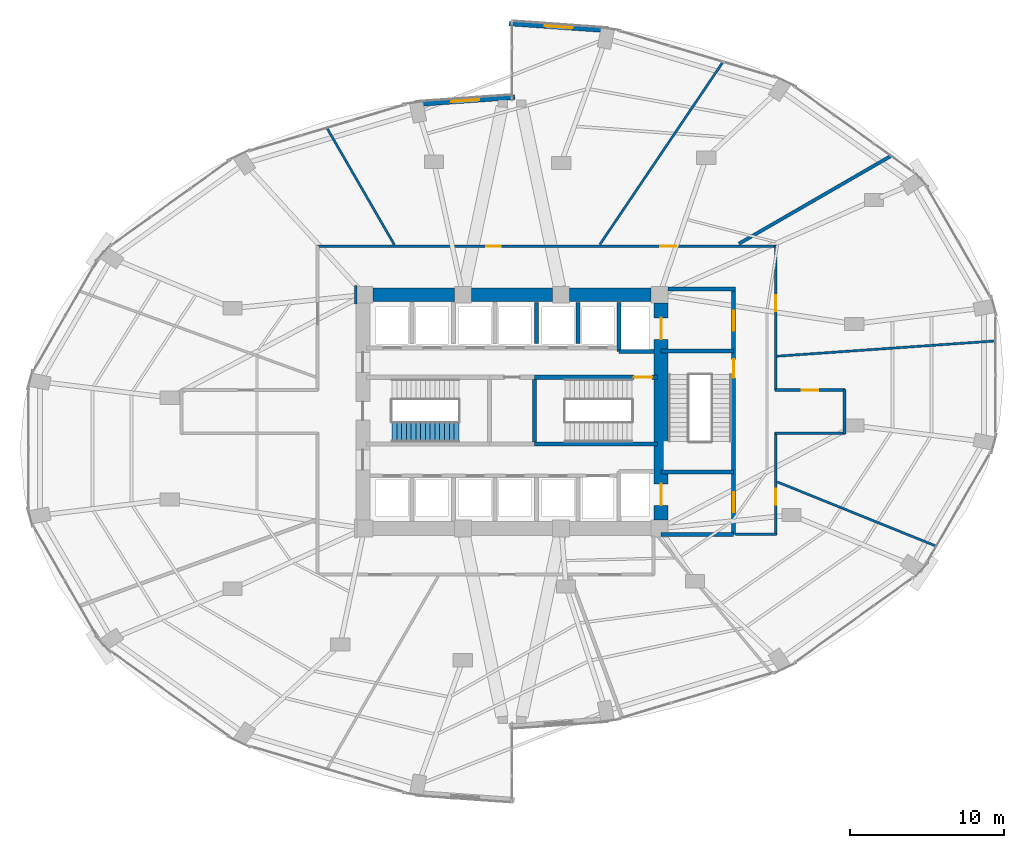
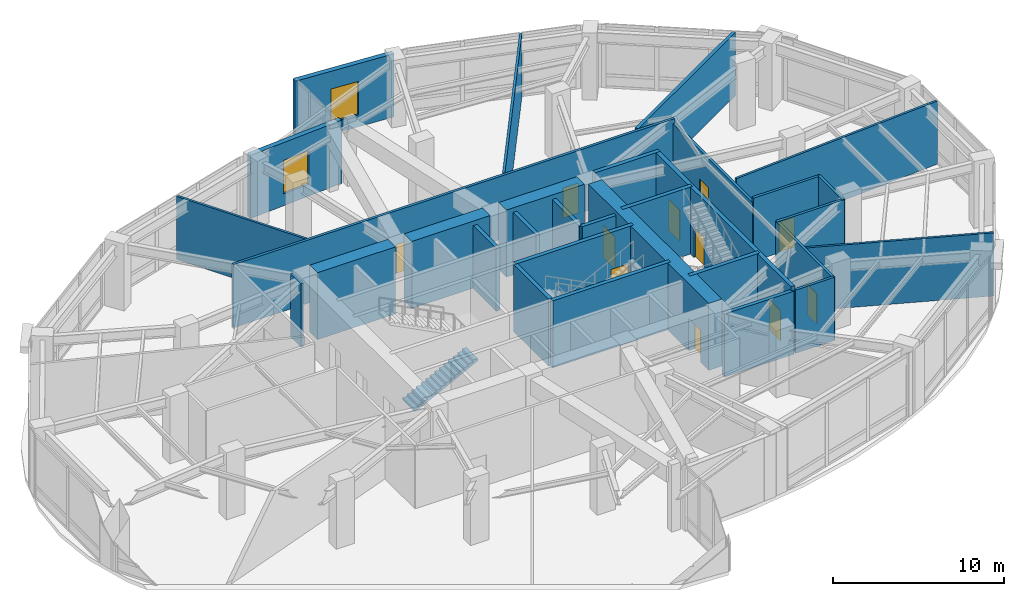
# One storey, part 22 of 24: 31 walls, 11 doors, 2 windows, 1 stair flight, 13 openings, 1 element without a shape of its own.
"""IFC4 building model written with IfcOpenShell, lengths in metres."""

from ifc_helpers import new_model, si_unit, direction, frame, frame_2d, origin, place, context, subcontext, project, spatial, polyline, rectangle, outline, extrude, material, layer, layer_set, type_object, element, fill, aggregate, save


model = new_model("IFC4")

# Units and contexts
model_context = context("Model", 3, precision=1e-05, world=origin(), true_north=direction((0.0, 1.0)))
body_context = subcontext(model_context, "Body", "Model", "MODEL_VIEW")
ifc_project = project(units=[si_unit("LENGTHUNIT", "METRE"), si_unit("AREAUNIT", "SQUARE_METRE"), si_unit("VOLUMEUNIT", "CUBIC_METRE"), si_unit("PLANEANGLEUNIT", "RADIAN"), si_unit("MASSUNIT", "GRAM", prefix="KILO")], contexts=[model_context])

# Site, building, storey
site_placement = place(None, origin())
site = spatial("IfcSite", under=ifc_project, at=site_placement, CompositionType="ELEMENT")
building_placement = place(site_placement, origin())
building = spatial("IfcBuilding", under=site, at=building_placement, Name="Lazwardi Medical Tower", CompositionType="ELEMENT")
storey_placement = place(building_placement, frame((0.0, 0.0, 15.60009765625)))
storey = spatial("IfcBuildingStorey", under=building, at=storey_placement, Name="L03", CompositionType="ELEMENT", Elevation=15.60009765625)

# Wall, openings, doors
ifc_material_1 = material(Name="Fire-rated gypsum board on steel stud", Category="steel")
ifc_layer_1 = layer(ifc_material_1, 0.179931640625)
ifc_layer_set_1 = layer_set([ifc_layer_1], Name="Fire-rated gypsum board on steel stud")
wall_type_1 = type_object("IfcWallType", Name="WL-COR-180", PredefinedType="PARTITIONING", material=ifc_layer_set_1)
wall_1_placement = place(storey_placement, frame((23.31005859375, 38.75, 0.0), z_axis=(0.0, 0.0, 1.0), x_axis=(1.0, 0.0, 0.0)))
wall_1 = element("IfcWall", 1, at=wall_1_placement, inside=storey, type_object=wall_type_1, Name="L03 Corridor partition 4", PredefinedType="PARTITIONING", context=body_context, shape_type="SweptSolid", body=[
    extrude(rectangle(XDim=29.8798828125, YDim=0.179931640625, at=frame_2d((14.93994140625, 0.0))), origin(), (0.0, 0.0, 1.0), 4.52001953125),
])
opening_1_placement = place(wall_1_placement, frame((22.32421875, 0.0, 0.0)))
opening_1 = element("IfcOpeningElement", 2, at=opening_1_placement, cuts=wall_1, Name="Opening D-L03-013", PredefinedType="OPENING", context=body_context, shape_type="SweptSolid", body=[
    extrude(rectangle(XDim=1.050048828125, YDim=2.14990234375, at=frame_2d((0.52490234375, 1.074951171875))), frame((0.0, 0.099853515625, 0.0), z_axis=(0.0, -1.0, 0.0), x_axis=(1.0, 0.0, 0.0)), (0.0, 0.0, 1.0), 0.199951171875),
])
opening_2_placement = place(wall_1_placement, frame((11.014892578125, 0.0, 0.0)))
opening_2 = element("IfcOpeningElement", 3, at=opening_2_placement, cuts=wall_1, Name="Opening D-L03-014", PredefinedType="OPENING", context=body_context, shape_type="SweptSolid", body=[
    extrude(rectangle(XDim=0.949951171875, YDim=2.10009765625, at=frame_2d((0.47509765625, 1.050048828125))), frame((0.0, 0.099853515625, 0.0), z_axis=(0.0, -1.0, 0.0), x_axis=(1.0, 0.0, 0.0)), (0.0, 0.0, 1.0), 0.199951171875),
])
ifc_material_2 = material(Name="Anti-microbial laminate hospital leaf")
door_type_1 = type_object("IfcDoorType", Name="DR-CLN-1050", OperationType="NOTDEFINED", PredefinedType="DOOR", material=ifc_material_2)
door_1_placement = place(opening_1_placement, origin())
door_1 = element("IfcDoor", 4, at=door_1_placement, inside=storey, type_object=door_type_1, Name="L03 Medication Preparation Room Door 08", OperationType="SINGLE_SWING_RIGHT", OverallHeight=2.14990234375, OverallWidth=1.050048828125, PredefinedType="DOOR", context=body_context, shape_type="SweptSolid", body=[
    extrude(rectangle(XDim=1.050048828125, YDim=2.14990234375, at=frame_2d((0.52490234375, 1.074951171875))), frame((0.0, 0.02490234375, 0.0), z_axis=(0.0, -1.0, 0.0), x_axis=(1.0, 0.0, 0.0)), (0.0, 0.0, 1.0), 0.050048828125),
])
fill(opening_1, door_1)
ifc_material_3 = material(Name="Moisture-resistant laminate door leaf")
door_type_2 = type_object("IfcDoorType", Name="DR-ENS-950", OperationType="NOTDEFINED", PredefinedType="DOOR", material=ifc_material_3)
door_2_placement = place(opening_2_placement, origin())
door_2 = element("IfcDoor", 5, at=door_2_placement, inside=storey, type_object=door_type_2, Name="L03 Operating Theatre Door 09", OperationType="SINGLE_SWING_LEFT", OverallHeight=2.10009765625, OverallWidth=0.949951171875, PredefinedType="DOOR", context=body_context, shape_type="SweptSolid", body=[
    extrude(rectangle(XDim=0.949951171875, YDim=2.10009765625, at=frame_2d((0.47509765625, 1.050048828125))), frame((0.0, 0.02490234375, 0.0), z_axis=(0.0, -1.0, 0.0), x_axis=(1.0, 0.0, 0.0)), (0.0, 0.0, 1.0), 0.050048828125),
])
fill(opening_2, door_2)

# Wall, opening, door
wall_2_placement = place(storey_placement, frame((53.14990234375, 38.7900390625, 0.0), z_axis=(0.0, 0.0, 1.0), x_axis=(0.0, -1.0, 0.0)))
wall_2 = element("IfcWall", 6, at=wall_2_placement, inside=storey, type_object=wall_type_1, Name="L03 Corridor partition 5", PredefinedType="PARTITIONING", context=body_context, shape_type="SweptSolid", body=[
    extrude(rectangle(XDim=9.429931640625, YDim=0.179931640625, at=frame_2d((4.71484375, 0.0))), origin(), (0.0, 0.0, 1.0), 4.204833984375),
])
opening_3_placement = place(wall_2_placement, frame((3.22607421875, 0.0, 0.0)))
opening_3 = element("IfcOpeningElement", 7, at=opening_3_placement, cuts=wall_2, Name="Opening D-L03-012", PredefinedType="OPENING", context=body_context, shape_type="SweptSolid", body=[
    extrude(rectangle(XDim=1.050048828125, YDim=2.14990234375, at=frame_2d((0.52490234375, 1.074951171875))), frame((0.0, 0.099853515625, 0.0), z_axis=(0.0, -1.0, 0.0), x_axis=(1.0, 0.0, 0.0)), (0.0, 0.0, 1.0), 0.199951171875),
])
door_3_placement = place(opening_3_placement, origin())
door_3 = element("IfcDoor", 8, at=door_3_placement, inside=storey, type_object=door_type_1, Name="L03 Clean Utility Room Door 07", OperationType="SINGLE_SWING_LEFT", OverallHeight=2.14990234375, OverallWidth=1.050048828125, PredefinedType="DOOR", context=body_context, shape_type="SweptSolid", body=[
    extrude(rectangle(XDim=1.050048828125, YDim=2.14990234375, at=frame_2d((0.52490234375, 1.074951171875))), frame((0.0, 0.02490234375, 0.0), z_axis=(0.0, -1.0, 0.0), x_axis=(1.0, 0.0, 0.0)), (0.0, 0.0, 1.0), 0.050048828125),
])
fill(opening_3, door_3)

wall_3_placement = place(storey_placement, frame((53.110107421875, 29.39990234375, 0.0), z_axis=(0.0, 0.0, 1.0), x_axis=(1.0, 0.0, 0.0)))
wall_3 = element("IfcWall", 9, at=wall_3_placement, inside=storey, type_object=wall_type_1, Name="L03 Corridor partition 6", PredefinedType="PARTITIONING", context=body_context, shape_type="SweptSolid", body=[
    extrude(rectangle(XDim=4.5478515625, YDim=0.179931640625, at=frame_2d((2.27392578125, 0.0))), origin(), (0.0, 0.0, 1.0), 4.52001953125),
])
opening_4_placement = place(wall_3_placement, frame((1.7490234375, 0.0, 0.0)))
opening_4 = element("IfcOpeningElement", 10, at=opening_4_placement, cuts=wall_3, Name="Opening D-L03-011", PredefinedType="OPENING", context=body_context, shape_type="SweptSolid", body=[
    extrude(rectangle(XDim=1.050048828125, YDim=2.14990234375, at=frame_2d((0.52490234375, 1.074951171875))), frame((0.0, 0.099853515625, 0.0), z_axis=(0.0, -1.0, 0.0), x_axis=(1.0, 0.0, 0.0)), (0.0, 0.0, 1.0), 0.199951171875),
])
door_4_placement = place(opening_4_placement, origin())
door_4 = element("IfcDoor", 11, at=door_4_placement, inside=storey, type_object=door_type_1, Name="L03 Staff Changing and Shower Room Door 06", OperationType="SINGLE_SWING_RIGHT", OverallHeight=2.14990234375, OverallWidth=1.050048828125, PredefinedType="DOOR", context=body_context, shape_type="SweptSolid", body=[
    extrude(rectangle(XDim=1.050048828125, YDim=2.14990234375, at=frame_2d((0.52490234375, 1.074951171875))), frame((0.0, 0.02490234375, 0.0), z_axis=(0.0, -1.0, 0.0), x_axis=(1.0, 0.0, 0.0)), (0.0, 0.0, 1.0), 0.050048828125),
])
fill(opening_4, door_4)

# Walls
wall_4_placement = place(storey_placement, frame((57.617919921875, 29.43994140625, 0.0), z_axis=(0.0, 0.0, 1.0), x_axis=(0.0, -1.0, 0.0)))
element("IfcWall", 12, at=wall_4_placement, inside=storey, type_object=wall_type_1, Name="L03 Corridor partition 7", PredefinedType="PARTITIONING", context=body_context, shape_type="SweptSolid", body=[
    extrude(rectangle(XDim=2.8798828125, YDim=0.179931640625, at=frame_2d((1.43994140625, 0.0))), origin(), (0.0, 0.0, 1.0), 4.52001953125),
])
wall_5_placement = place(storey_placement, frame((57.657958984375, 26.60009765625, 0.0), z_axis=(0.0, 0.0, 1.0), x_axis=(-1.0, 0.0, 0.0)))
element("IfcWall", 13, at=wall_5_placement, inside=storey, type_object=wall_type_1, Name="L03 Corridor partition 8", PredefinedType="PARTITIONING", context=body_context, shape_type="SweptSolid", body=[
    extrude(rectangle(XDim=4.5478515625, YDim=0.179931640625, at=frame_2d((2.27392578125, 0.0))), origin(), (0.0, 0.0, 1.0), 4.52001953125),
])

# Wall, opening, door
wall_6_placement = place(storey_placement, frame((53.14990234375, 26.639892578125, 0.0), z_axis=(0.0, 0.0, 1.0), x_axis=(0.0, -1.0, 0.0)))
wall_6 = element("IfcWall", 14, at=wall_6_placement, inside=storey, type_object=wall_type_1, Name="L03 Corridor partition 9", PredefinedType="PARTITIONING", context=body_context, shape_type="SweptSolid", body=[
    extrude(rectangle(XDim=6.659912109375, YDim=0.179931640625, at=frame_2d((3.330078125, 0.0))), origin(), (0.0, 0.0, 1.0), 4.52001953125),
])
opening_5_placement = place(wall_6_placement, frame((3.653076171875, 0.0, 0.0)))
opening_5 = element("IfcOpeningElement", 15, at=opening_5_placement, cuts=wall_6, Name="Opening D-L03-010", PredefinedType="OPENING", context=body_context, shape_type="SweptSolid", body=[
    extrude(rectangle(XDim=1.050048828125, YDim=2.14990234375, at=frame_2d((0.52490234375, 1.074951171875))), frame((0.0, 0.099853515625, 0.0), z_axis=(0.0, -1.0, 0.0), x_axis=(1.0, 0.0, 0.0)), (0.0, 0.0, 1.0), 0.199951171875),
])
door_5_placement = place(opening_5_placement, origin())
door_5 = element("IfcDoor", 16, at=door_5_placement, inside=storey, type_object=door_type_1, Name="L03 Post-Anaesthesia Recovery Ward Door 05", OperationType="SINGLE_SWING_LEFT", OverallHeight=2.14990234375, OverallWidth=1.050048828125, PredefinedType="DOOR", context=body_context, shape_type="SweptSolid", body=[
    extrude(rectangle(XDim=1.050048828125, YDim=2.14990234375, at=frame_2d((0.52490234375, 1.074951171875))), frame((0.0, 0.02490234375, 0.0), z_axis=(0.0, -1.0, 0.0), x_axis=(1.0, 0.0, 0.0)), (0.0, 0.0, 1.0), 0.050048828125),
])
fill(opening_5, door_5)

# Walls
wall_7_placement = place(storey_placement, frame((53.18994140625, 20.02001953125, 0.0), z_axis=(0.0, 0.0, 1.0), x_axis=(-1.0, 0.0, 0.0)))
element("IfcWall", 17, at=wall_7_placement, inside=storey, type_object=wall_type_1, Name="L03 Corridor partition 10", PredefinedType="PARTITIONING", context=body_context, shape_type="SweptSolid", body=[
    extrude(rectangle(XDim=2.64990234375, YDim=0.179931640625, at=frame_2d((1.324951171875, 0.0))), origin(), (0.0, 0.0, 1.0), 4.52001953125),
])
wall_8_placement = place(storey_placement, frame((25.830078125, 36.2099609375, 0.0), z_axis=(0.0, 0.0, 1.0), x_axis=(0.0, -1.0, 0.0)))
element("IfcWall", 18, at=wall_8_placement, inside=storey, type_object=wall_type_1, Name="L03 Corridor partition 11", PredefinedType="PARTITIONING", context=body_context, shape_type="SweptSolid", body=[
    extrude(rectangle(XDim=1.219970703125, YDim=0.179931640625, at=frame_2d((0.60986328125, 0.0))), origin(), (0.0, 0.0, 1.0), 4.52001953125),
])

# Wall, openings, doors
ifc_material_4 = material(Name="Concrete C80/95", Category="concrete")
ifc_layer_2 = layer(ifc_material_4, 0.89990234375)
ifc_layer_set_2 = layer_set([ifc_layer_2], Name="Concrete C80/95")
wall_type_2 = type_object("IfcWallType", Name="WL-CORE-900", PredefinedType="SHEAR", material=ifc_layer_set_2)
wall_9_placement = place(storey_placement, frame((45.699951171875, 20.949951171875, 0.0), z_axis=(0.0, 0.0, 1.0), x_axis=(0.0, 1.0, 0.0)))
wall_9 = element("IfcWall", 19, at=wall_9_placement, inside=storey, type_object=wall_type_2, Name="Core wall CW-S1 east L03", PredefinedType="SHEAR", context=body_context, shape_type="SweptSolid", body=[
    extrude(rectangle(XDim=14.10009765625, YDim=0.89990234375, at=frame_2d((7.050048828125, 0.0))), origin(), (0.0, 0.0, 1.0), 4.7998046875),
])
opening_6_placement = place(wall_9_placement, frame((11.75, 0.0, 0.0)))
opening_6 = element("IfcOpeningElement", 20, at=opening_6_placement, cuts=wall_9, Name="Opening LD-L03-001", PredefinedType="OPENING", context=body_context, shape_type="SweptSolid", body=[
    extrude(rectangle(XDim=1.39990234375, YDim=2.300048828125, at=frame_2d((0.699951171875, 1.14990234375))), frame((0.0, 0.4599609375, 0.0), z_axis=(0.0, -1.0, 0.0), x_axis=(1.0, 0.0, 0.0)), (0.0, 0.0, 1.0), 0.919921875),
])
opening_7_placement = place(wall_9_placement, frame((0.949951171875, 0.0, 0.0)))
opening_7 = element("IfcOpeningElement", 21, at=opening_7_placement, cuts=wall_9, Name="Opening LD-L03-002", PredefinedType="OPENING", context=body_context, shape_type="SweptSolid", body=[
    extrude(rectangle(XDim=1.39990234375, YDim=2.300048828125, at=frame_2d((0.699951171875, 1.14990234375))), frame((0.0, 0.4599609375, 0.0), z_axis=(0.0, -1.0, 0.0), x_axis=(1.0, 0.0, 0.0)), (0.0, 0.0, 1.0), 0.919921875),
])
ifc_material_5 = material(Name="Brushed stainless steel bed-lift landing door", Category="steel")
door_type_3 = type_object("IfcDoorType", Name="DR-LFT-1400", OperationType="NOTDEFINED", PredefinedType="DOOR", material=ifc_material_5)
door_6_placement = place(opening_6_placement, origin())
door_6 = element("IfcDoor", 22, at=door_6_placement, inside=storey, type_object=door_type_3, Name="L03 Lift Landing Door FL-01", OperationType="SLIDING_TO_LEFT", OverallHeight=2.300048828125, OverallWidth=1.39990234375, PredefinedType="DOOR", context=body_context, shape_type="SweptSolid", body=[
    extrude(rectangle(XDim=1.39990234375, YDim=2.300048828125, at=frame_2d((0.699951171875, 1.14990234375))), frame((0.0, 0.02490234375, 0.0), z_axis=(0.0, -1.0, 0.0), x_axis=(1.0, 0.0, 0.0)), (0.0, 0.0, 1.0), 0.050048828125),
])
fill(opening_6, door_6)
door_7_placement = place(opening_7_placement, origin())
door_7 = element("IfcDoor", 23, at=door_7_placement, inside=storey, type_object=door_type_3, Name="L03 Lift Landing Door FL-02", OperationType="SLIDING_TO_LEFT", OverallHeight=2.300048828125, OverallWidth=1.39990234375, PredefinedType="DOOR", context=body_context, shape_type="SweptSolid", body=[
    extrude(rectangle(XDim=1.39990234375, YDim=2.300048828125, at=frame_2d((0.699951171875, 1.14990234375))), frame((0.0, 0.02490234375, 0.0), z_axis=(0.0, -1.0, 0.0), x_axis=(1.0, 0.0, 0.0)), (0.0, 0.0, 1.0), 0.050048828125),
])
fill(opening_7, door_7)

# Walls
wall_10_placement = place(storey_placement, frame((26.949951171875, 35.60009765625, 0.0), z_axis=(0.0, 0.0, 1.0), x_axis=(1.0, 0.0, 0.0)))
element("IfcWall", 24, at=wall_10_placement, inside=storey, type_object=wall_type_2, Name="Core wall CW-S1 N1 L03", PredefinedType="SHEAR", context=body_context, shape_type="SweptSolid", body=[
    extrude(rectangle(XDim=5.300048828125, YDim=0.89990234375, at=frame_2d((2.64990234375, 0.0))), origin(), (0.0, 0.0, 1.0), 4.7998046875),
])
wall_11_placement = place(storey_placement, frame((33.35009765625, 35.60009765625, 0.0), z_axis=(0.0, 0.0, 1.0), x_axis=(1.0, 0.0, 0.0)))
element("IfcWall", 25, at=wall_11_placement, inside=storey, type_object=wall_type_2, Name="Core wall CW-S1 N2 L03", PredefinedType="SHEAR", context=body_context, shape_type="SweptSolid", body=[
    extrude(rectangle(XDim=5.2998046875, YDim=0.89990234375, at=frame_2d((2.64990234375, 0.0))), origin(), (0.0, 0.0, 1.0), 4.7998046875),
])
wall_12_placement = place(storey_placement, frame((39.75, 35.60009765625, 0.0), z_axis=(0.0, 0.0, 1.0), x_axis=(1.0, 0.0, 0.0)))
element("IfcWall", 26, at=wall_12_placement, inside=storey, type_object=wall_type_2, Name="Core wall CW-S1 N3 L03", PredefinedType="SHEAR", context=body_context, shape_type="SweptSolid", body=[
    extrude(rectangle(XDim=5.300048828125, YDim=0.89990234375, at=frame_2d((2.64990234375, 0.0))), origin(), (0.0, 0.0, 1.0), 4.7998046875),
])

# Wall, opening, window
ifc_material_6 = material(Name="Precast concrete C45/55", Category="concrete")
ifc_layer_3 = layer(ifc_material_6, 0.320068359375)
ifc_layer_set_3 = layer_set([ifc_layer_3], Name="Precast concrete C45/55")
wall_type_3 = type_object("IfcWallType", Name="WL-IWAN-320", PredefinedType="SOLIDWALL", material=ifc_layer_set_3)
wall_13_placement = place(storey_placement, frame((42.26171875, 52.797607421875, 0.0), z_axis=(0.0, 0.0, 1.0), x_axis=(-0.99751367159, 0.070473221795, 0.0)))
wall_13 = element("IfcWall", 27, at=wall_13_placement, inside=storey, type_object=wall_type_3, Name="L03 Iwan Portal Return Wall NE_ret", PredefinedType="SOLIDWALL", context=body_context, shape_type="SweptSolid", body=[
    extrude(rectangle(XDim=6.45751953125, YDim=0.320068359375, at=frame_2d((3.228759765625, 0.0))), origin(), (0.0, 0.0, 1.0), 4.52001953125),
])
opening_8_placement = place(wall_13_placement, frame((2.32861328125, 0.0, 0.85009765625)))
opening_8 = element("IfcOpeningElement", 28, at=opening_8_placement, cuts=wall_13, Name="Opening WN-03", PredefinedType="OPENING", context=body_context, shape_type="SweptSolid", body=[
    extrude(rectangle(XDim=1.800048828125, YDim=2.39990234375, at=frame_2d((0.89990234375, 1.199951171875))), frame((0.0, 0.169921875, 0.0), z_axis=(0.0, -1.0, 0.0), x_axis=(1.0, 0.0, 0.0)), (0.0, 0.0, 1.0), 0.340087890625),
])
ifc_material_7 = material(Name="Laminated acoustic bronze double glazing", Category="glass")
window_type = type_object("IfcWindowType", Name="WIN-POD-1800", PartitioningType="SINGLE_PANEL", PredefinedType="WINDOW", material=ifc_material_7)
window_1_placement = place(opening_8_placement, origin())
window_1 = element("IfcWindow", 29, at=window_1_placement, inside=storey, type_object=window_type, Name="L03 Iwan Slot Window NE_ret", OverallHeight=2.39990234375, OverallWidth=1.800048828125, PartitioningType="SINGLE_PANEL", PredefinedType="WINDOW", context=body_context, shape_type="SweptSolid", body=[
    extrude(rectangle(XDim=1.800048828125, YDim=2.39990234375, at=frame_2d((0.89990234375, 1.199951171875))), frame((0.0, 0.030029296875, 0.0), z_axis=(0.0, -1.0, 0.0), x_axis=(1.0, 0.0, 0.0)), (0.0, 0.0, 1.0), 0.06005859375),
])
fill(opening_8, window_1)

wall_14_placement = place(storey_placement, frame((36.178955078125, 48.45263671875, 0.0), z_axis=(0.0, 0.0, 1.0), x_axis=(-0.997513108184, -0.070481196075, 0.0)))
wall_14 = element("IfcWall", 30, at=wall_14_placement, inside=storey, type_object=wall_type_3, Name="L03 Iwan Portal Return Wall NW_ret", PredefinedType="SOLIDWALL", context=body_context, shape_type="SweptSolid", body=[
    extrude(rectangle(XDim=6.456787109375, YDim=0.320068359375, at=frame_2d((3.228515625, 0.0))), origin(), (0.0, 0.0, 1.0), 4.52001953125),
])
opening_9_placement = place(wall_14_placement, frame((2.328369140625, 0.0, 0.85009765625)))
opening_9 = element("IfcOpeningElement", 31, at=opening_9_placement, cuts=wall_14, Name="Opening WN-03", PredefinedType="OPENING", context=body_context, shape_type="SweptSolid", body=[
    extrude(rectangle(XDim=1.800048828125, YDim=2.39990234375, at=frame_2d((0.89990234375, 1.199951171875))), frame((0.0, 0.169921875, 0.0), z_axis=(0.0, -1.0, 0.0), x_axis=(1.0, 0.0, 0.0)), (0.0, 0.0, 1.0), 0.340087890625),
])
window_2_placement = place(opening_9_placement, origin())
window_2 = element("IfcWindow", 32, at=window_2_placement, inside=storey, type_object=window_type, Name="L03 Iwan Slot Window NW_ret", OverallHeight=2.39990234375, OverallWidth=1.800048828125, PartitioningType="SINGLE_PANEL", PredefinedType="WINDOW", context=body_context, shape_type="SweptSolid", body=[
    extrude(rectangle(XDim=1.800048828125, YDim=2.39990234375, at=frame_2d((0.89990234375, 1.199951171875))), frame((0.0, 0.030029296875, 0.0), z_axis=(0.0, -1.0, 0.0), x_axis=(1.0, 0.0, 0.0)), (0.0, 0.0, 1.0), 0.06005859375),
])
fill(opening_9, window_2)

# Walls
ifc_material_8 = material(Name="Autoclaved aerated concrete blockwork", Category="masonry")
ifc_layer_4 = layer(ifc_material_8, 0.25)
ifc_layer_set_4 = layer_set([ifc_layer_4], Name="Autoclaved aerated concrete blockwork")
wall_type_4 = type_object("IfcWallType", Name="WL-SHAFT-250", PredefinedType="SOLIDWALL", material=ifc_layer_set_4)
wall_15_placement = place(storey_placement, frame((42.949951171875, 31.919921875, 0.0), z_axis=(0.0, 0.0, 1.0), x_axis=(0.0, 1.0, 0.0)))
element("IfcWall", 33, at=wall_15_placement, inside=storey, type_object=wall_type_4, Name="L03 FL-01 West shaft wall", PredefinedType="SOLIDWALL", context=body_context, shape_type="SweptSolid", body=[
    extrude(rectangle(XDim=3.18017578125, YDim=0.25, at=frame_2d((1.590087890625, 0.0))), origin(), (0.0, 0.0, 1.0), 4.52001953125),
])
wall_16_placement = place(storey_placement, frame((42.949951171875, 31.919921875, 0.0), z_axis=(0.0, 0.0, 1.0), x_axis=(1.0, 0.0, 0.0)))
element("IfcWall", 34, at=wall_16_placement, inside=storey, type_object=wall_type_4, Name="L03 FL-01 South shaft wall", PredefinedType="SOLIDWALL", context=body_context, shape_type="SweptSolid", body=[
    extrude(rectangle(XDim=2.300048828125, YDim=0.25, at=frame_2d((1.14990234375, 0.0))), origin(), (0.0, 0.0, 1.0), 4.52001953125),
])
for number, where, z_axis, x_axis, name in (
    (35, (37.60009765625, 32.419921875, 0.0), (0.0, 0.0, 1.0), (0.0, 1.0, 0.0), "L03 North hoistway divider"),
    (36, (40.300048828125, 32.419921875, 0.0), (0.0, 0.0, 1.0), (0.0, 1.0, 0.0), "L03 North hoistway divider"),
):
    element("IfcWall", number, at=place(storey_placement, frame(where, z_axis=z_axis, x_axis=x_axis)), inside=storey, type_object=wall_type_4, Name=name, PredefinedType="SOLIDWALL", context=body_context, shape_type="SweptSolid", body=[
        extrude(rectangle(XDim=2.68017578125, YDim=0.25, at=frame_2d((1.340087890625, 0.0))), origin(), (0.0, 0.0, 1.0), 4.52001953125),
    ])
wall_17_placement = place(storey_placement, frame((45.699951171875, 20.02001953125, 0.0), z_axis=(0.0, 0.0, 1.0), x_axis=(1.0, 0.0, 0.0)))
element("IfcWall", 37, at=wall_17_placement, inside=storey, type_object=wall_type_4, Name="L03 FFL-S South wall", PredefinedType="SOLIDWALL", context=body_context, shape_type="SweptSolid", body=[
    extrude(rectangle(XDim=4.715087890625, YDim=0.25, at=frame_2d((2.357421875, 0.0))), origin(), (0.0, 0.0, 1.0), 4.52001953125),
])
ifc_layer_5 = layer(ifc_material_1, 0.219970703125)
ifc_layer_set_5 = layer_set([ifc_layer_5], Name="Fire-rated gypsum board on steel stud")
wall_type_5 = type_object("IfcWallType", Name="WL-SMK-220", PredefinedType="PARTITIONING", material=ifc_layer_set_5)
wall_18_placement = place(storey_placement, frame((50.761474609375, 38.922607421875, 0.0), z_axis=(0.0, 0.0, 1.0), x_axis=(0.866026972346, 0.499997283162, 0.0)))
element("IfcWall", 38, at=wall_18_placement, inside=storey, type_object=wall_type_5, Name="L03 Room partition 5", PredefinedType="PARTITIONING", context=body_context, shape_type="SweptSolid", body=[
    extrude(rectangle(XDim=11.40625, YDim=0.219970703125, at=frame_2d((5.703125, 0.0))), origin(), (0.0, 0.0, 1.0), 4.52001953125),
])

# Wall, opening, door
ifc_material_9 = material(Name="Concrete C50/60", Category="concrete")
ifc_layer_6 = layer(ifc_material_9, 0.27001953125)
ifc_layer_set_6 = layer_set([ifc_layer_6], Name="Concrete C50/60")
wall_type_6 = type_object("IfcWallType", Name="WL-STR-250", PredefinedType="SHEAR", material=ifc_layer_set_6)
wall_19_placement = place(storey_placement, frame((37.465087890625, 30.235107421875, 0.0), z_axis=(0.0, 0.0, 1.0), x_axis=(1.0, 0.0, 0.0)))
wall_19 = element("IfcWall", 39, at=wall_19_placement, inside=storey, type_object=wall_type_6, Name="L03 ST2 North shear shaft wall SW-S1", PredefinedType="SHEAR", context=body_context, shape_type="SweptSolid", body=[
    extrude(rectangle(XDim=7.98486328125, YDim=0.27001953125, at=frame_2d((3.992431640625, 0.0))), origin(), (0.0, 0.0, 1.0), 4.7998046875),
])
opening_10_placement = place(wall_19_placement, frame((6.455078125, 0.0, 0.0)))
opening_10 = element("IfcOpeningElement", 40, at=opening_10_placement, cuts=wall_19, Name="Opening D-L03-017", PredefinedType="OPENING", context=body_context, shape_type="SweptSolid", body=[
    extrude(rectangle(XDim=1.199951171875, YDim=2.14990234375, at=frame_2d((0.60009765625, 1.074951171875))), frame((0.0, 0.14501953125, 0.0), z_axis=(0.0, -1.0, 0.0), x_axis=(1.0, 0.0, 0.0)), (0.0, 0.0, 1.0), 0.2900390625),
])
ifc_material_10 = material(Name="Fire-rated steel leaf and frame", Category="steel")
door_type_4 = type_object("IfcDoorType", Name="DR-STR-1200", OperationType="NOTDEFINED", PredefinedType="DOOR", material=ifc_material_10)
door_8_placement = place(opening_10_placement, origin())
door_8 = element("IfcDoor", 41, at=door_8_placement, inside=storey, type_object=door_type_4, Name="L03 Exit Stair ST2 Door", OperationType="SINGLE_SWING_RIGHT", OverallHeight=2.14990234375, OverallWidth=1.199951171875, PredefinedType="DOOR", context=body_context, shape_type="SweptSolid", body=[
    extrude(rectangle(XDim=1.199951171875, YDim=2.14990234375, at=frame_2d((0.60009765625, 1.074951171875))), frame((0.0, 0.02490234375, 0.0), z_axis=(0.0, -1.0, 0.0), x_axis=(1.0, 0.0, 0.0)), (0.0, 0.0, 1.0), 0.050048828125),
])
fill(opening_10, door_8)

# Walls
wall_20_placement = place(storey_placement, frame((37.465087890625, 25.885009765625, 0.0), z_axis=(0.0, 0.0, 1.0), x_axis=(1.0, 0.0, 0.0)))
element("IfcWall", 42, at=wall_20_placement, inside=storey, type_object=wall_type_6, Name="L03 ST2 South shear shaft wall SW-S1", PredefinedType="SHEAR", context=body_context, shape_type="SweptSolid", body=[
    extrude(rectangle(XDim=7.98486328125, YDim=0.27001953125, at=frame_2d((3.992431640625, 0.0))), origin(), (0.0, 0.0, 1.0), 4.7998046875),
])
wall_21_placement = place(storey_placement, frame((37.465087890625, 26.02001953125, 0.0), z_axis=(0.0, 0.0, 1.0), x_axis=(0.0, 1.0, 0.0)))
element("IfcWall", 43, at=wall_21_placement, inside=storey, type_object=wall_type_6, Name="L03 ST2 West shear shaft wall SW-S1", PredefinedType="SHEAR", context=body_context, shape_type="SweptSolid", body=[
    extrude(rectangle(XDim=4.080078125, YDim=0.27001953125, at=frame_2d((2.0400390625, 0.0))), origin(), (0.0, 0.0, 1.0), 4.7998046875),
])

# Wall, openings, doors
wall_22_placement = place(storey_placement, frame((50.4150390625, 35.844970703125, 0.0), z_axis=(0.0, 0.0, 1.0), x_axis=(0.0, -1.0, 0.0)))
wall_22 = element("IfcWall", 44, at=wall_22_placement, inside=storey, type_object=wall_type_6, Name="L03 East ST3 & FFL shear wall SW-S1", PredefinedType="SHEAR", context=body_context, shape_type="SweptSolid", body=[
    extrude(rectangle(XDim=15.824951171875, YDim=0.27001953125, at=frame_2d((7.91259765625, 0.0))), origin(), (0.0, 0.0, 1.0), 4.7998046875),
])
opening_11_placement = place(wall_22_placement, frame((4.445068359375, 0.0, 0.0)))
opening_11 = element("IfcOpeningElement", 45, at=opening_11_placement, cuts=wall_22, Name="Opening D-L03-018", PredefinedType="OPENING", context=body_context, shape_type="SweptSolid", body=[
    extrude(rectangle(XDim=1.199951171875, YDim=2.14990234375, at=frame_2d((0.60009765625, 1.074951171875))), frame((0.0, 0.14501953125, 0.0), z_axis=(0.0, -1.0, 0.0), x_axis=(1.0, 0.0, 0.0)), (0.0, 0.0, 1.0), 0.2900390625),
])
opening_12_placement = place(wall_22_placement, frame((1.294921875, 0.0, 0.0)))
opening_12 = element("IfcOpeningElement", 46, at=opening_12_placement, cuts=wall_22, Name="Opening D-L03-002", PredefinedType="OPENING", context=body_context, shape_type="SweptSolid", body=[
    extrude(rectangle(XDim=1.300048828125, YDim=2.199951171875, at=frame_2d((0.64990234375, 1.10009765625))), frame((0.0, 0.14501953125, 0.0), z_axis=(0.0, -1.0, 0.0), x_axis=(1.0, 0.0, 0.0)), (0.0, 0.0, 1.0), 0.2900390625),
])
opening_13_placement = place(wall_22_placement, frame((13.094970703125, 0.0, 0.0)))
opening_13 = element("IfcOpeningElement", 47, at=opening_13_placement, cuts=wall_22, Name="Opening D-L03-003", PredefinedType="OPENING", context=body_context, shape_type="SweptSolid", body=[
    extrude(rectangle(XDim=1.300048828125, YDim=2.199951171875, at=frame_2d((0.64990234375, 1.10009765625))), frame((0.0, 0.14501953125, 0.0), z_axis=(0.0, -1.0, 0.0), x_axis=(1.0, 0.0, 0.0)), (0.0, 0.0, 1.0), 0.2900390625),
])
door_type_5 = type_object("IfcDoorType", Name="DR-FFL-1300", OperationType="NOTDEFINED", PredefinedType="DOOR", material=ifc_material_10)
door_9_placement = place(opening_12_placement, origin())
door_9 = element("IfcDoor", 48, at=door_9_placement, inside=storey, type_object=door_type_5, Name="L03 Fire-Fighting Lobby North Door", OperationType="SINGLE_SWING_LEFT", OverallHeight=2.199951171875, OverallWidth=1.300048828125, PredefinedType="DOOR", context=body_context, shape_type="SweptSolid", body=[
    extrude(rectangle(XDim=1.300048828125, YDim=2.199951171875, at=frame_2d((0.64990234375, 1.10009765625))), frame((0.0, 0.02490234375, 0.0), z_axis=(0.0, -1.0, 0.0), x_axis=(1.0, 0.0, 0.0)), (0.0, 0.0, 1.0), 0.050048828125),
])
fill(opening_12, door_9)
door_10_placement = place(opening_13_placement, origin())
door_10 = element("IfcDoor", 49, at=door_10_placement, inside=storey, type_object=door_type_5, Name="L03 Fire-Fighting Lobby South Door", OperationType="SINGLE_SWING_RIGHT", OverallHeight=2.199951171875, OverallWidth=1.300048828125, PredefinedType="DOOR", context=body_context, shape_type="SweptSolid", body=[
    extrude(rectangle(XDim=1.300048828125, YDim=2.199951171875, at=frame_2d((0.64990234375, 1.10009765625))), frame((0.0, 0.02490234375, 0.0), z_axis=(0.0, -1.0, 0.0), x_axis=(1.0, 0.0, 0.0)), (0.0, 0.0, 1.0), 0.050048828125),
])
fill(opening_13, door_10)
door_11_placement = place(opening_11_placement, origin())
door_11 = element("IfcDoor", 50, at=door_11_placement, inside=storey, type_object=door_type_4, Name="L03 Exit Stair ST3 Door", OperationType="SINGLE_SWING_RIGHT", OverallHeight=2.14990234375, OverallWidth=1.199951171875, PredefinedType="DOOR", context=body_context, shape_type="SweptSolid", body=[
    extrude(rectangle(XDim=1.199951171875, YDim=2.14990234375, at=frame_2d((0.60009765625, 1.074951171875))), frame((0.0, 0.02490234375, 0.0), z_axis=(0.0, -1.0, 0.0), x_axis=(1.0, 0.0, 0.0)), (0.0, 0.0, 1.0), 0.050048828125),
])
fill(opening_11, door_11)

# Walls
wall_23_placement = place(storey_placement, frame((46.14990234375, 35.97998046875, 0.0), z_axis=(0.0, 0.0, 1.0), x_axis=(1.0, 0.0, 0.0)))
element("IfcWall", 51, at=wall_23_placement, inside=storey, type_object=wall_type_6, Name="L03 FFL-N North shear wall SW-S1", PredefinedType="SHEAR", context=body_context, shape_type="SweptSolid", body=[
    extrude(rectangle(XDim=4.400146484375, YDim=0.27001953125, at=frame_2d((2.2001953125, 0.0))), origin(), (0.0, 0.0, 1.0), 4.7998046875),
])
for number, where, z_axis, x_axis, name in (
    (52, (45.699951171875, 31.93505859375, 0.0), (0.0, 0.0, 1.0), (1.0, 0.0, 0.0), "L03 ST3 North shear shaft wall SW-S1"),
    (53, (45.699951171875, 24.06494140625, 0.0), (0.0, 0.0, 1.0), (1.0, 0.0, 0.0), "L03 ST3 South shear shaft wall SW-S1"),
):
    element("IfcWall", number, at=place(storey_placement, frame(where, z_axis=z_axis, x_axis=x_axis)), inside=storey, type_object=wall_type_6, Name=name, PredefinedType="SHEAR", context=body_context, shape_type="SweptSolid", body=[
        extrude(rectangle(XDim=4.715087890625, YDim=0.27001953125, at=frame_2d((2.357421875, 0.0))), origin(), (0.0, 0.0, 1.0), 4.7998046875),
    ])
ifc_material_11 = material(Name="Acoustic gypsum board partition")
ifc_layer_7 = layer(ifc_material_11, 0.14990234375)
ifc_layer_set_7 = layer_set([ifc_layer_7], Name="Acoustic gypsum board partition")
wall_type_7 = type_object("IfcWallType", Name="WL-WRD-150", PredefinedType="PARTITIONING", material=ifc_layer_set_7)
wall_24_placement = place(storey_placement, frame((53.260498046875, 23.42626953125, 0.0), z_axis=(0.0, 0.0, 1.0), x_axis=(0.927183900085, -0.374606480754, 0.0)))
element("IfcWall", 54, at=wall_24_placement, inside=storey, type_object=wall_type_7, Name="L03 Room partition 3", PredefinedType="PARTITIONING", context=body_context, shape_type="SweptSolid", body=[
    extrude(rectangle(XDim=11.14453125, YDim=0.14990234375, at=frame_2d((5.572265625, 0.0))), origin(), (0.0, 0.0, 1.0), 4.52001953125),
])
wall_25_placement = place(storey_placement, frame((53.239990234375, 31.60546875, 0.0), z_axis=(0.0, 0.0, 1.0), x_axis=(0.997563398333, 0.069765796107, 0.0)))
element("IfcWall", 55, at=wall_25_placement, inside=storey, type_object=wall_type_7, Name="L03 Room partition 4", PredefinedType="PARTITIONING", context=body_context, shape_type="SweptSolid", body=[
    extrude(rectangle(XDim=14.232177734375, YDim=0.14990234375, at=frame_2d((7.1162109375, 0.0))), origin(), (0.0, 0.0, 1.0), 4.52001953125),
])
wall_26_placement = place(storey_placement, frame((41.716796875, 38.87548828125, 0.0), z_axis=(0.0, 0.0, 1.0), x_axis=(0.559191016445, 0.829038845367, 0.0)))
element("IfcWall", 56, at=wall_26_placement, inside=storey, type_object=wall_type_7, Name="L03 Room partition 6", PredefinedType="PARTITIONING", context=body_context, shape_type="SweptSolid", body=[
    extrude(rectangle(XDim=14.313720703125, YDim=0.14990234375, at=frame_2d((7.15673828125, 0.0))), origin(), (0.0, 0.0, 1.0), 4.52001953125),
])
wall_27_placement = place(storey_placement, frame((28.34619140625, 38.85693359375, 0.0), z_axis=(0.0, 0.0, 1.0), x_axis=(-0.500008731563, 0.866020362555, 0.0)))
element("IfcWall", 57, at=wall_27_placement, inside=storey, type_object=wall_type_7, Name="L03 Room partition 7", PredefinedType="PARTITIONING", context=body_context, shape_type="SweptSolid", body=[
    extrude(rectangle(XDim=8.760009765625, YDim=0.14990234375, at=frame_2d((4.3798828125, 0.0))), origin(), (0.0, 0.0, 1.0), 4.52001953125),
])

# Stair, stair flight
ifc_material_12 = material(Name="Concrete C45/55", Category="concrete")
stair_type = type_object("IfcStairType", Name="STR-POD", PredefinedType="HALF_TURN_STAIR", material=ifc_material_12)
stair_placement = place(storey_placement, origin())
stair = element("IfcStair", 58, at=stair_placement, inside=storey, type_object=stair_type, Name="L03 Protected Exit Stair ST1", PredefinedType="HALF_TURN_STAIR")
stair_flight_type = type_object("IfcStairFlightType", Name="FLT-POD", PredefinedType="STRAIGHT", material=ifc_material_12)
stair_flight_placement = place(storey_placement, frame((28.199951171875, 26.679931640625, 0.0), z_axis=(0.0, 0.0, 1.0), x_axis=(1.0, 0.0, 0.0)))
stair_flight = element("IfcStairFlight", 59, at=stair_flight_placement, type_object=stair_flight_type, Name="ST1 flight 1", NumberOfRisers=15, NumberOfTreads=14, PredefinedType="STRAIGHT", RiserHeight=0.16, TreadLength=0.31, context=body_context, shape_type="SweptSolid", body=[
    extrude(outline(polyline([(0.0, 0.0), (0.0, 0.159912109375), (0.31005859375, 0.159912109375), (0.31005859375, 0.320068359375), (0.6201171875, 0.320068359375), (0.6201171875, 0.47998046875), (0.929931640625, 0.47998046875), (0.929931640625, 0.639892578125), (1.239990234375, 0.639892578125), (1.239990234375, 0.800048828125), (1.550048828125, 0.800048828125), (1.550048828125, 0.9599609375), (1.860107421875, 0.9599609375), (1.860107421875, 1.1201171875), (2.169921875, 1.1201171875), (2.169921875, 1.280029296875), (2.47998046875, 1.280029296875), (2.47998046875, 1.43994140625), (2.7900390625, 1.43994140625), (2.7900390625, 1.60009765625), (3.10009765625, 1.60009765625), (3.10009765625, 1.760009765625), (3.409912109375, 1.760009765625), (3.409912109375, 1.919921875), (3.719970703125, 1.919921875), (3.719970703125, 2.080078125), (4.030029296875, 2.080078125), (4.030029296875, 2.239990234375), (4.340087890625, 2.239990234375), (4.340087890625, 2.39990234375), (4.340087890625, 2.0712890625), (0.326904296875, 0.0), (0.0, 0.0)])), frame((0.0, 0.66015625, 0.0), z_axis=(0.0, -1.0, 0.0), x_axis=(1.0, 0.0, 0.0)), (0.0, 0.0, 1.0), 1.320068359375),
])
aggregate(stair, [stair_flight])

save(model, "model.ifc")
